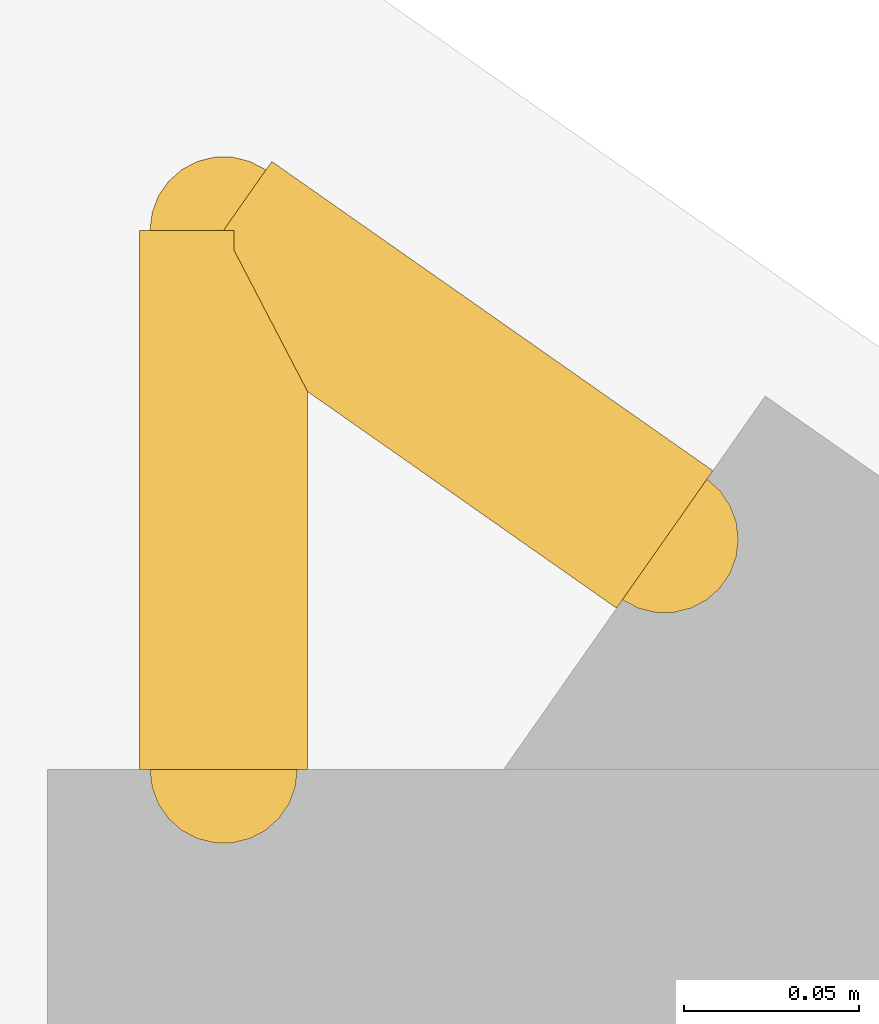
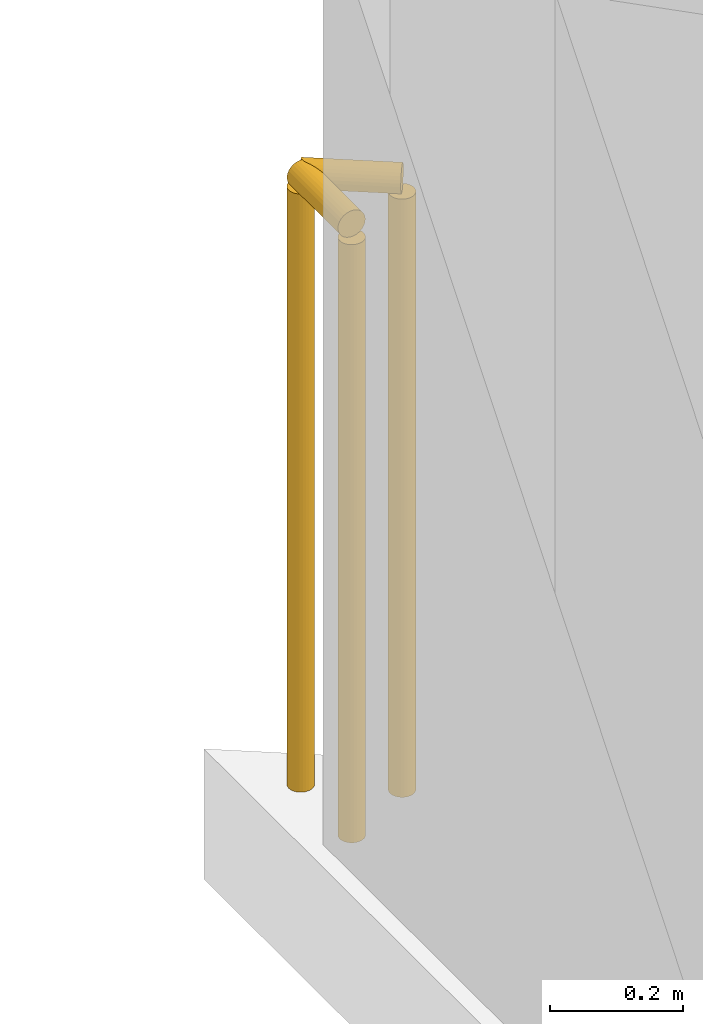
# One storey, part 14 of 14: 2 railings.
"""IFC4 building model written with IfcOpenShell, lengths in metres."""

from ifc_helpers import new_model, si_unit, direction, frame, origin, origin_2d, place, context, subcontext, project, spatial, circle, extrude, material, type_object, element, save


model = new_model("IFC4")

# Units and contexts
model_context = context("Model", 3, precision=1e-05, world=origin(), true_north=direction((0.0, 1.0)))
body_context = subcontext(model_context, "Body", "Model", "MODEL_VIEW")
ifc_project = project(units=[si_unit("LENGTHUNIT", "METRE"), si_unit("AREAUNIT", "SQUARE_METRE"), si_unit("VOLUMEUNIT", "CUBIC_METRE"), si_unit("PLANEANGLEUNIT", "RADIAN"), si_unit("MASSUNIT", "GRAM", prefix="KILO")], contexts=[model_context])

# Site, building, storey
site_placement = place(None, origin())
site = spatial("IfcSite", under=ifc_project, at=site_placement, CompositionType="ELEMENT")
building_placement = place(site_placement, origin())
building = spatial("IfcBuilding", under=site, at=building_placement, Name="Varnakote Quay Hospital", CompositionType="ELEMENT")
storey_placement = place(building_placement, frame((0.0, 0.0, 211.85009765625)))
storey = spatial("IfcBuildingStorey", under=building, at=storey_placement, Name="L52", CompositionType="ELEMENT", Elevation=211.85009765625)

# Railings
ifc_material = material(Name="Anodised aluminium 6063-T6 Bronze", Category="aluminium")
railing_type = type_object("IfcRailingType", Name="RLG-EXT-GUARD-1150", PredefinedType="GUARDRAIL", material=ifc_material)
railing_1_placement = place(storey_placement, frame((2.580078125, 42.492431640625, 0.0)))
element("IfcRailing", 1, at=railing_1_placement, inside=storey, type_object=railing_type, Name="L52 Slab Edge Perimeter Safety Guard", PredefinedType="GUARDRAIL", context=body_context, shape_type="SweptSolid", body=[
    extrude(circle(Radius=0.02392578125, at=origin_2d()), frame((0.0, 0.0, 1.1259765625), z_axis=(0.0, 1.0, 0.0), x_axis=(-1.0, 0.0, 0.0)), (0.0, 0.0, 1.0), 0.15380859375),
    extrude(circle(Radius=0.02099609375, at=origin_2d()), origin(), (0.0, 0.0, 1.0), 1.101806640625),
    extrude(circle(Radius=0.02099609375, at=origin_2d()), frame((0.0, 0.15380859375, 0.0)), (0.0, 0.0, 1.0), 1.101806640625),
])
railing_2_placement = place(storey_placement, frame((2.580078125, 42.646240234375, 0.0)))
element("IfcRailing", 2, at=railing_2_placement, inside=storey, type_object=railing_type, Name="L52 Slab Edge Perimeter Safety Guard", PredefinedType="GUARDRAIL", context=body_context, shape_type="SweptSolid", body=[
    extrude(circle(Radius=0.02392578125, at=origin_2d()), frame((0.0, 0.0, 1.1259765625), z_axis=(0.818858253068, -0.57399578516, 0.0), x_axis=(0.57399578516, 0.818858253068, 0.0)), (0.0, 0.0, 1.0), 0.153564453125),
    extrude(circle(Radius=0.02099609375, at=origin_2d()), origin(), (0.0, 0.0, 1.0), 1.101806640625),
    extrude(circle(Radius=0.02099609375, at=origin_2d()), frame((0.125732421875, -0.088134765625, 0.0)), (0.0, 0.0, 1.0), 1.101806640625),
])

save(model, "model.ifc")
